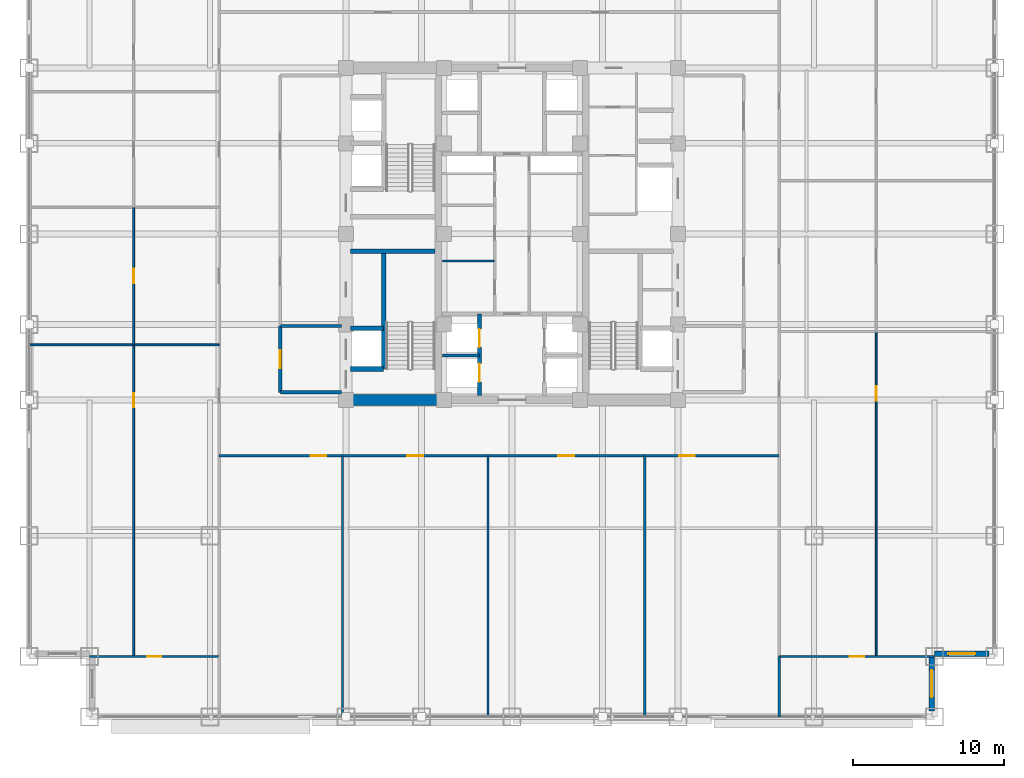
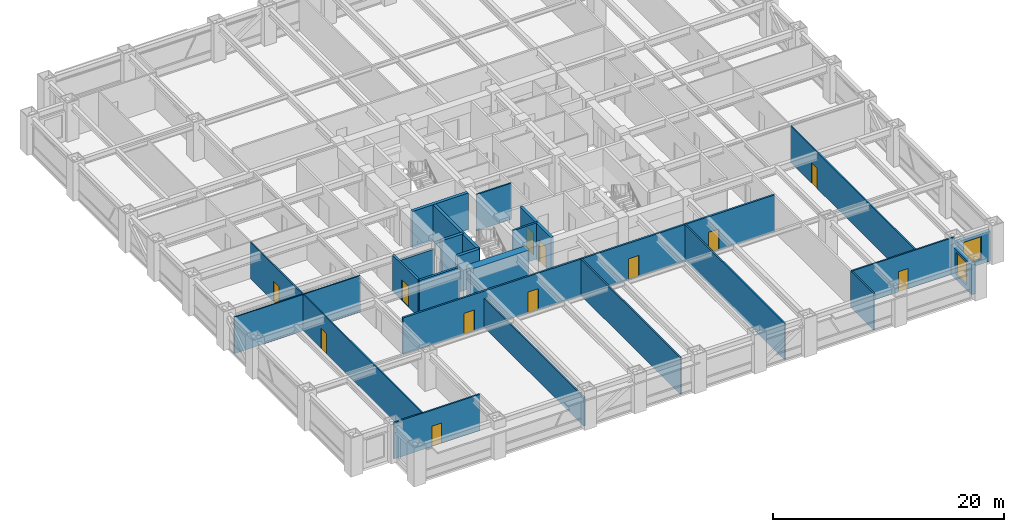
# One storey, part 23 of 32: 24 walls, 12 doors, 2 windows, 14 openings.
"""IFC4 building model written with IfcOpenShell, lengths in metres."""

from ifc_helpers import new_model, si_unit, direction, frame, frame_2d, origin, place, context, subcontext, project, spatial, rectangle, extrude, source, transform, mapped, material, layer, layer_set, type_object, element, fill, save


model = new_model("IFC4")

# Units and contexts
model_context = context("Model", 3, precision=1e-05, world=origin(), true_north=direction((0.0, 1.0)))
body_context = subcontext(model_context, "Body", "Model", "MODEL_VIEW")
ifc_project = project(units=[si_unit("LENGTHUNIT", "METRE"), si_unit("AREAUNIT", "SQUARE_METRE"), si_unit("VOLUMEUNIT", "CUBIC_METRE"), si_unit("PLANEANGLEUNIT", "RADIAN"), si_unit("MASSUNIT", "GRAM", prefix="KILO")], contexts=[model_context])

# Site, building, storey
site_placement = place(None, origin())
site = spatial("IfcSite", under=ifc_project, at=site_placement, CompositionType="ELEMENT")
building_placement = place(site_placement, origin())
building = spatial("IfcBuilding", under=site, at=building_placement, Name="Khorayat Bourse Tower", CompositionType="ELEMENT")
storey_placement = place(building_placement, frame((0.0, 0.0, 128.300048828125)))
storey = spatial("IfcBuildingStorey", under=building, at=storey_placement, Name="L29", CompositionType="ELEMENT", Elevation=128.300048828125)

# Walls
ifc_material_1 = material(Name="Concrete C72/90", Category="concrete")
ifc_layer_1 = layer(ifc_material_1, 0.75)
ifc_layer_set_1 = layer_set([ifc_layer_1], Name="Concrete C72/90")
wall_type_1 = type_object("IfcWallType", Name="WAL-CORE-750", PredefinedType="SHEAR", material=ifc_layer_set_1)
shared_shape_1 = source(origin(), body_context, "Body", "SweptSolid", [
    extrude(rectangle(XDim=5.849853515625, YDim=0.75, at=frame_2d((2.9248046875, 0.0))), origin(), (0.0, 0.0, 1.0), 3.83984375),
])
wall_1_placement = place(storey_placement, frame((-10.699951171875, -11.0, 0.0), z_axis=(0.0, 0.0, 1.0), x_axis=(1.0, 0.0, 0.0)))
element("IfcWall", 1, at=wall_1_placement, inside=storey, type_object=wall_type_1, Name="L29 Core Shear Wall PIER-WS", PredefinedType="SHEAR", context=body_context, shape_type="MappedRepresentation", body=[
    mapped(shared_shape_1, transform((0.0, 0.0, 0.0), scale=1.0)),
])
ifc_material_2 = material(Name="Concrete C50/60", Category="concrete")
ifc_layer_2 = layer(ifc_material_2, 0.300048828125)
ifc_layer_set_2 = layer_set([ifc_layer_2], Name="Concrete C50/60")
wall_type_2 = type_object("IfcWallType", Name="WAL-SHAFT-300", PredefinedType="SHEAR", material=ifc_layer_set_2)
shared_shape_2 = source(origin(), body_context, "Body", "SweptSolid", [
    extrude(rectangle(XDim=5.599853515625, YDim=0.300048828125, at=frame_2d((2.7998046875, 0.0))), origin(), (0.0, 0.0, 1.0), 3.83984375),
])
wall_2_placement = place(storey_placement, frame((-10.699951171875, -1.14990234375, 0.0), z_axis=(0.0, 0.0, 1.0), x_axis=(1.0, 0.0, 0.0)))
element("IfcWall", 2, at=wall_2_placement, inside=storey, type_object=wall_type_2, Name="L29 Core Shear Wall ST1-DIV", PredefinedType="SHEAR", context=body_context, shape_type="MappedRepresentation", body=[
    mapped(shared_shape_2, transform((0.0, 0.0, 0.0), scale=1.0)),
])

# Wall, opening, window
ifc_material_3 = material(Name="Precast concrete C45/55", Category="concrete")
ifc_layer_3 = layer(ifc_material_3, 0.3798828125)
ifc_layer_set_3 = layer_set([ifc_layer_3], Name="Precast concrete C45/55")
wall_type_3 = type_object("IfcWallType", Name="WAL-EXT-STONE-380", PredefinedType="STANDARD", material=ifc_layer_set_3)
shared_shape_3 = source(origin(), body_context, "Body", "SweptSolid", [
    extrude(rectangle(XDim=3.6201171875, YDim=0.3798828125, at=frame_2d((1.81005859375, 0.0))), origin(), (0.0, 0.0, 1.0), 3.14501953125),
])
wall_3_placement = place(storey_placement, frame((27.81005859375, -31.6201171875, 0.0), z_axis=(0.0, 0.0, 1.0), x_axis=(0.0, 1.0, 0.0)))
wall_3 = element("IfcWall", 3, at=wall_3_placement, inside=storey, type_object=wall_type_3, Name="L29 Re-Entrant Notch Limestone Wall SE-V", PredefinedType="STANDARD", context=body_context, shape_type="MappedRepresentation", body=[
    mapped(shared_shape_3, transform((0.0, 0.0, 0.0), scale=1.0)),
])
shared_shape_4 = source(origin(), body_context, "Body", "SweptSolid", [
    extrude(rectangle(XDim=1.800048828125, YDim=2.39990234375, at=frame_2d((0.89990234375, 1.199951171875))), frame((0.0, 0.199951171875, 0.0), z_axis=(0.0, -1.0, 0.0), x_axis=(1.0, 0.0, 0.0)), (0.0, 0.0, 1.0), 0.39990234375),
])
opening_1_placement = place(wall_3_placement, frame((0.909912109375, 0.0, 0.5)))
opening_1 = element("IfcOpeningElement", 4, at=opening_1_placement, cuts=wall_3, Name="Opening WN-04", PredefinedType="OPENING", context=body_context, shape_type="MappedRepresentation", body=[
    mapped(shared_shape_4, transform((0.0, 0.0, 0.0), scale=1.0)),
])
ifc_material_4 = material(Name="Low-E acoustic laminated double glazing", Category="glass")
window_type = type_object("IfcWindowType", Name="WIN-NOTCH-1800x2400", PartitioningType="SINGLE_PANEL", PredefinedType="WINDOW", material=ifc_material_4)
shared_shape_5 = source(origin(), body_context, "Body", "SweptSolid", [
    extrude(rectangle(XDim=1.800048828125, YDim=2.39990234375, at=frame_2d((0.89990234375, 1.199951171875))), frame((0.0, 0.030029296875, 0.0), z_axis=(0.0, -1.0, 0.0), x_axis=(1.0, 0.0, 0.0)), (0.0, 0.0, 1.0), 0.06005859375),
])
window_1_placement = place(opening_1_placement, origin())
window_1 = element("IfcWindow", 5, at=window_1_placement, inside=storey, type_object=window_type, Name="L29 Facade Window 1", OverallHeight=2.39990234375, OverallWidth=1.800048828125, PartitioningType="SINGLE_PANEL", PredefinedType="WINDOW", context=body_context, shape_type="MappedRepresentation", body=[
    mapped(shared_shape_5, transform((0.0, 0.0, 0.0), scale=1.0)),
])
fill(opening_1, window_1)

wall_4_placement = place(storey_placement, frame((28.0, -27.81005859375, 0.0), z_axis=(0.0, 0.0, 1.0), x_axis=(1.0, 0.0, 0.0)))
wall_4 = element("IfcWall", 6, at=wall_4_placement, inside=storey, type_object=wall_type_3, Name="L29 Re-Entrant Notch Limestone Wall SE-H", PredefinedType="STANDARD", context=body_context, shape_type="MappedRepresentation", body=[
    mapped(shared_shape_3, transform((0.0, 0.0, 0.0), scale=1.0)),
])
opening_2_placement = place(wall_4_placement, frame((0.909912109375, 0.0, 0.5)))
opening_2 = element("IfcOpeningElement", 7, at=opening_2_placement, cuts=wall_4, Name="Opening WN-04", PredefinedType="OPENING", context=body_context, shape_type="MappedRepresentation", body=[
    mapped(shared_shape_4, transform((0.0, 0.0, 0.0), scale=1.0)),
])
window_2_placement = place(opening_2_placement, origin())
window_2 = element("IfcWindow", 8, at=window_2_placement, inside=storey, type_object=window_type, Name="L29 Facade Window 1", OverallHeight=2.39990234375, OverallWidth=1.800048828125, PartitioningType="SINGLE_PANEL", PredefinedType="WINDOW", context=body_context, shape_type="MappedRepresentation", body=[
    mapped(shared_shape_5, transform((0.0, 0.0, 0.0), scale=1.0)),
])
fill(opening_2, window_2)

# Walls
ifc_material_5 = material(Name="Aerated concrete blockwork", Category="masonry")
ifc_layer_4 = layer(ifc_material_5, 0.219970703125)
ifc_layer_set_4 = layer_set([ifc_layer_4], Name="Aerated concrete blockwork")
wall_type_4 = type_object("IfcWallType", Name="WAL-PART-FF-220", PredefinedType="PARTITIONING", material=ifc_layer_set_4)
shared_shape_6 = source(origin(), body_context, "Body", "SweptSolid", [
    extrude(rectangle(XDim=4.050048828125, YDim=0.219970703125, at=frame_2d((2.02490234375, 0.0))), origin(), (0.0, 0.0, 1.0), 3.06689453125),
])
wall_5_placement = place(storey_placement, frame((-15.35009765625, -6.10009765625, 0.0), z_axis=(0.0, 0.0, 1.0), x_axis=(1.0, 0.0, 0.0)))
element("IfcWall", 9, at=wall_5_placement, inside=storey, type_object=wall_type_4, Name="L29 Partition WAL-L29-FFLW-N", PredefinedType="PARTITIONING", context=body_context, shape_type="MappedRepresentation", body=[
    mapped(shared_shape_6, transform((0.0, 0.0, 0.0), scale=1.0)),
])
shared_shape_7 = source(origin(), body_context, "Body", "SweptSolid", [
    extrude(rectangle(XDim=7.800048828125, YDim=0.300048828125, at=frame_2d((3.89990234375, 0.0))), origin(), (0.0, 0.0, 1.0), 3.83984375),
])
wall_6_placement = place(storey_placement, frame((-8.5, -8.949951171875, 0.0), z_axis=(0.0, 0.0, 1.0), x_axis=(0.0, 1.0, 0.0)))
element("IfcWall", 10, at=wall_6_placement, inside=storey, type_object=wall_type_2, Name="L29 Partition WAL-L29-WPIER-SP", PredefinedType="SHEAR", context=body_context, shape_type="MappedRepresentation", body=[
    mapped(shared_shape_7, transform((0.0, 0.0, 0.0), scale=1.0)),
])
shared_shape_8 = source(origin(), body_context, "Body", "SweptSolid", [
    extrude(rectangle(XDim=2.199951171875, YDim=0.300048828125, at=frame_2d((1.10009765625, 0.0))), origin(), (0.0, 0.0, 1.0), 3.83984375),
])
for number, where, z_axis, x_axis, name in (
    (11, (-10.699951171875, -8.949951171875, 0.0), (0.0, 0.0, 1.0), (1.0, 0.0, 0.0), "L29 Partition WAL-L29-WPIER-FF1S"),
    (12, (-10.699951171875, -6.25, 0.0), (0.0, 0.0, 1.0), (1.0, 0.0, 0.0), "L29 Partition WAL-L29-WPIER-FF1N"),
):
    element("IfcWall", number, at=place(storey_placement, frame(where, z_axis=z_axis, x_axis=x_axis)), inside=storey, type_object=wall_type_2, Name=name, PredefinedType="SHEAR", context=body_context, shape_type="MappedRepresentation", body=[
        mapped(shared_shape_8, transform((0.0, 0.0, 0.0), scale=1.0)),
    ])
shared_shape_9 = source(origin(), body_context, "Body", "SweptSolid", [
    extrude(rectangle(XDim=4.050048828125, YDim=0.219970703125, at=frame_2d((2.02490234375, 0.0))), origin(), (0.0, 0.0, 1.0), 3.83984375),
])
wall_7_placement = place(storey_placement, frame((-15.35009765625, -10.5, 0.0), z_axis=(0.0, 0.0, 1.0), x_axis=(1.0, 0.0, 0.0)))
element("IfcWall", 13, at=wall_7_placement, inside=storey, type_object=wall_type_4, Name="L29 Partition WAL-L29-FFLW-S", PredefinedType="PARTITIONING", context=body_context, shape_type="MappedRepresentation", body=[
    mapped(shared_shape_9, transform((0.0, 0.0, 0.0), scale=1.0)),
])

# Wall, opening, door
shared_shape_10 = source(origin(), body_context, "Body", "SweptSolid", [
    extrude(rectangle(XDim=4.39990234375, YDim=0.219970703125, at=frame_2d((2.199951171875, 0.0))), origin(), (0.0, 0.0, 1.0), 3.83984375),
])
wall_8_placement = place(storey_placement, frame((-15.35009765625, -10.5, 0.0), z_axis=(0.0, 0.0, 1.0), x_axis=(0.0, 1.0, 0.0)))
wall_8 = element("IfcWall", 14, at=wall_8_placement, inside=storey, type_object=wall_type_4, Name="L29 Partition WAL-L29-FFLW-W", PredefinedType="PARTITIONING", context=body_context, shape_type="MappedRepresentation", body=[
    mapped(shared_shape_10, transform((0.0, 0.0, 0.0), scale=1.0)),
])
shared_shape_11 = source(origin(), body_context, "Body", "SweptSolid", [
    extrude(rectangle(XDim=1.199951171875, YDim=2.199951171875, at=frame_2d((0.60009765625, 1.10009765625))), frame((0.0, 0.119873046875, 0.0), z_axis=(0.0, -1.0, 0.0), x_axis=(1.0, 0.0, 0.0)), (0.0, 0.0, 1.0), 0.239990234375),
])
opening_3_placement = place(wall_8_placement, frame((1.60009765625, 0.0, 0.0)))
opening_3 = element("IfcOpeningElement", 15, at=opening_3_placement, cuts=wall_8, Name="Opening DI-02", PredefinedType="OPENING", context=body_context, shape_type="MappedRepresentation", body=[
    mapped(shared_shape_11, transform((0.0, 0.0, 0.0), scale=1.0)),
])
ifc_material_6 = material(Name="Fire-rated steel double-seal leaf", Category="steel")
door_type_1 = type_object("IfcDoorType", Name="DR-INT-FFLOBBY-1200", OperationType="NOTDEFINED", PredefinedType="DOOR", material=ifc_material_6)
shared_shape_12 = source(origin(), body_context, "Body", "SweptSolid", [
    extrude(rectangle(XDim=1.199951171875, YDim=2.199951171875, at=frame_2d((0.60009765625, 1.10009765625))), frame((0.0, 0.02490234375, 0.0), z_axis=(0.0, -1.0, 0.0), x_axis=(1.0, 0.0, 0.0)), (0.0, 0.0, 1.0), 0.050048828125),
])
door_1_placement = place(opening_3_placement, origin())
door_1 = element("IfcDoor", 16, at=door_1_placement, inside=storey, type_object=door_type_1, Name="L29 West Firefighting Lobby Door", OperationType="SINGLE_SWING_LEFT", OverallHeight=2.199951171875, OverallWidth=1.199951171875, PredefinedType="DOOR", context=body_context, shape_type="MappedRepresentation", body=[
    mapped(shared_shape_12, transform((0.0, 0.0, 0.0), scale=1.0)),
])
fill(opening_3, door_1)

# Wall, openings, doors
shared_shape_13 = source(origin(), body_context, "Body", "SweptSolid", [
    extrude(rectangle(XDim=5.39990234375, YDim=0.25, at=frame_2d((2.699951171875, 0.0))), origin(), (0.0, 0.0, 1.0), 3.83984375),
])
wall_9_placement = place(storey_placement, frame((-2.14990234375, -10.699951171875, 0.0), z_axis=(0.0, 0.0, 1.0), x_axis=(0.0, 1.0, 0.0)))
wall_9 = element("IfcWall", 17, at=wall_9_placement, inside=storey, type_object=wall_type_2, Name="L29 Partition WAL-L29-B1-W", PredefinedType="SHEAR", context=body_context, shape_type="MappedRepresentation", body=[
    mapped(shared_shape_13, transform((0.0, 0.0, 0.0), scale=1.0)),
])
shared_shape_14 = source(origin(), body_context, "Body", "SweptSolid", [
    extrude(rectangle(XDim=1.199951171875, YDim=2.300048828125, at=frame_2d((0.60009765625, 1.14990234375))), frame((0.0, 0.135009765625, 0.0), z_axis=(0.0, -1.0, 0.0), x_axis=(1.0, 0.0, 0.0)), (0.0, 0.0, 1.0), 0.27001953125),
])
opening_4_placement = place(wall_9_placement, frame((0.89990234375, 0.0, 0.0)))
opening_4 = element("IfcOpeningElement", 18, at=opening_4_placement, cuts=wall_9, Name="Opening LD-01", PredefinedType="OPENING", context=body_context, shape_type="MappedRepresentation", body=[
    mapped(shared_shape_14, transform((0.0, 0.0, 0.0), scale=1.0)),
])
opening_5_placement = place(wall_9_placement, frame((3.199951171875, 0.0, 0.0)))
opening_5 = element("IfcOpeningElement", 19, at=opening_5_placement, cuts=wall_9, Name="Opening LD-01", PredefinedType="OPENING", context=body_context, shape_type="MappedRepresentation", body=[
    mapped(shared_shape_14, transform((0.0, 0.0, 0.0), scale=1.0)),
])
ifc_material_7 = material(Name="Brushed bronze stainless-steel sliding door", Category="steel")
door_type_2 = type_object("IfcDoorType", Name="DR-LIFT-PASS-1200", OperationType="NOTDEFINED", PredefinedType="DOOR", material=ifc_material_7)
shared_shape_15 = source(origin(), body_context, "Body", "SweptSolid", [
    extrude(rectangle(XDim=1.199951171875, YDim=2.300048828125, at=frame_2d((0.60009765625, 1.14990234375))), frame((0.0, 0.02490234375, 0.0), z_axis=(0.0, -1.0, 0.0), x_axis=(1.0, 0.0, 0.0)), (0.0, 0.0, 1.0), 0.050048828125),
])
door_2_placement = place(opening_4_placement, origin())
door_2 = element("IfcDoor", 20, at=door_2_placement, inside=storey, type_object=door_type_2, Name="L29 Lift PL-L1 Sliding Landing Door", OperationType="SLIDING_TO_LEFT", OverallHeight=2.300048828125, OverallWidth=1.199951171875, PredefinedType="DOOR", context=body_context, shape_type="MappedRepresentation", body=[
    mapped(shared_shape_15, transform((0.0, 0.0, 0.0), scale=1.0)),
])
fill(opening_4, door_2)
door_3_placement = place(opening_5_placement, origin())
door_3 = element("IfcDoor", 21, at=door_3_placement, inside=storey, type_object=door_type_2, Name="L29 Lift PL-L3 Sliding Landing Door", OperationType="SLIDING_TO_LEFT", OverallHeight=2.300048828125, OverallWidth=1.199951171875, PredefinedType="DOOR", context=body_context, shape_type="MappedRepresentation", body=[
    mapped(shared_shape_15, transform((0.0, 0.0, 0.0), scale=1.0)),
])
fill(opening_5, door_3)

# Walls
shared_shape_16 = source(origin(), body_context, "Body", "SweptSolid", [
    extrude(rectangle(XDim=2.4501953125, YDim=0.199951171875, at=frame_2d((1.22509765625, 0.0))), origin(), (0.0, 0.0, 1.0), 3.83984375),
])
wall_10_placement = place(storey_placement, frame((-4.60009765625, -8.050048828125, 0.0), z_axis=(0.0, 0.0, 1.0), x_axis=(1.0, 0.0, 0.0)))
element("IfcWall", 22, at=wall_10_placement, inside=storey, type_object=wall_type_2, Name="L29 Partition WAL-L29-B1-MW", PredefinedType="SHEAR", context=body_context, shape_type="MappedRepresentation", body=[
    mapped(shared_shape_16, transform((0.0, 0.0, 0.0), scale=1.0)),
])
ifc_material_8 = material(Name="Moisture-resistant masonry partition", Category="masonry")
ifc_layer_5 = layer(ifc_material_8, 0.139892578125)
ifc_layer_set_5 = layer_set([ifc_layer_5], Name="Moisture-resistant masonry partition")
wall_type_5 = type_object("IfcWallType", Name="WAL-PART-WET-140", PredefinedType="PARTITIONING", material=ifc_layer_set_5)
shared_shape_17 = source(origin(), body_context, "Body", "SweptSolid", [
    extrude(rectangle(XDim=3.4501953125, YDim=0.139892578125, at=frame_2d((1.72509765625, 0.0))), origin(), (0.0, 0.0, 1.0), 3.83984375),
])
wall_11_placement = place(storey_placement, frame((-4.60009765625, -1.800048828125, 0.0), z_axis=(0.0, 0.0, 1.0), x_axis=(1.0, 0.0, 0.0)))
element("IfcWall", 23, at=wall_11_placement, inside=storey, type_object=wall_type_5, Name="L29 Partition WAL-L29-CMW-D1", PredefinedType="PARTITIONING", context=body_context, shape_type="MappedRepresentation", body=[
    mapped(shared_shape_17, transform((0.0, 0.0, 0.0), scale=1.0)),
])

# Wall, openings, doors
ifc_material_9 = material(Name="Gypsum plasterboard acoustic stud wall")
ifc_layer_6 = layer(ifc_material_9, 0.179931640625)
ifc_layer_set_6 = layer_set([ifc_layer_6], Name="Gypsum plasterboard acoustic stud wall")
wall_type_6 = type_object("IfcWallType", Name="WAL-PART-CORR-180", PredefinedType="PARTITIONING", material=ifc_layer_set_6)
shared_shape_18 = source(origin(), body_context, "Body", "SweptSolid", [
    extrude(rectangle(XDim=37.099853515625, YDim=0.179931640625, at=frame_2d((18.5498046875, 0.0))), origin(), (0.0, 0.0, 1.0), 3.83984375),
])
wall_12_placement = place(storey_placement, frame((-19.39990234375, -14.699951171875, 0.0), z_axis=(0.0, 0.0, 1.0), x_axis=(1.0, 0.0, 0.0)))
wall_12 = element("IfcWall", 24, at=wall_12_placement, inside=storey, type_object=wall_type_6, Name="L29 Partition WAL-L29-SCORR", PredefinedType="PARTITIONING", context=body_context, shape_type="MappedRepresentation", body=[
    mapped(shared_shape_18, transform((0.0, 0.0, 0.0), scale=1.0)),
])
shared_shape_19 = source(origin(), body_context, "Body", "SweptSolid", [
    extrude(rectangle(XDim=1.050048828125, YDim=2.199951171875, at=frame_2d((0.52490234375, 1.10009765625))), frame((0.0, 0.099853515625, 0.0), z_axis=(0.0, -1.0, 0.0), x_axis=(1.0, 0.0, 0.0)), (0.0, 0.0, 1.0), 0.199951171875),
])
opening_6_placement = place(wall_12_placement, frame((6.055908203125, 0.0, 0.0)))
opening_6 = element("IfcOpeningElement", 25, at=opening_6_placement, cuts=wall_12, Name="Opening DI-04", PredefinedType="OPENING", context=body_context, shape_type="MappedRepresentation", body=[
    mapped(shared_shape_19, transform((0.0, 0.0, 0.0), scale=1.0)),
])
opening_7_placement = place(wall_12_placement, frame((12.4599609375, 0.0, 0.0)))
opening_7 = element("IfcOpeningElement", 26, at=opening_7_placement, cuts=wall_12, Name="Opening DI-04", PredefinedType="OPENING", context=body_context, shape_type="MappedRepresentation", body=[
    mapped(shared_shape_19, transform((0.0, 0.0, 0.0), scale=1.0)),
])
opening_8_placement = place(wall_12_placement, frame((22.47705078125, 0.0, 0.0)))
opening_8 = element("IfcOpeningElement", 27, at=opening_8_placement, cuts=wall_12, Name="Opening DI-04", PredefinedType="OPENING", context=body_context, shape_type="MappedRepresentation", body=[
    mapped(shared_shape_19, transform((0.0, 0.0, 0.0), scale=1.0)),
])
opening_9_placement = place(wall_12_placement, frame((30.472900390625, 0.0, 0.0)))
opening_9 = element("IfcOpeningElement", 28, at=opening_9_placement, cuts=wall_12, Name="Opening DI-04", PredefinedType="OPENING", context=body_context, shape_type="MappedRepresentation", body=[
    mapped(shared_shape_19, transform((0.0, 0.0, 0.0), scale=1.0)),
])
ifc_material_10 = material(Name="Fire-rated oak veneer suite entrance door")
door_type_3 = type_object("IfcDoorType", Name="DR-INT-SUITE-1050", OperationType="NOTDEFINED", PredefinedType="DOOR", material=ifc_material_10)
shared_shape_20 = source(origin(), body_context, "Body", "SweptSolid", [
    extrude(rectangle(XDim=1.050048828125, YDim=2.199951171875, at=frame_2d((0.52490234375, 1.10009765625))), frame((0.0, 0.02490234375, 0.0), z_axis=(0.0, -1.0, 0.0), x_axis=(1.0, 0.0, 0.0)), (0.0, 0.0, 1.0), 0.050048828125),
])
door_4_placement = place(opening_6_placement, origin())
door_4 = element("IfcDoor", 29, at=door_4_placement, inside=storey, type_object=door_type_3, Name="L29 Floor Reception Concierge S1 Door", OperationType="SINGLE_SWING_RIGHT", OverallHeight=2.199951171875, OverallWidth=1.050048828125, PredefinedType="DOOR", context=body_context, shape_type="MappedRepresentation", body=[
    mapped(shared_shape_20, transform((0.0, 0.0, 0.0), scale=1.0)),
])
fill(opening_6, door_4)
door_5_placement = place(opening_7_placement, origin())
door_5 = element("IfcDoor", 30, at=door_5_placement, inside=storey, type_object=door_type_3, Name="L29 Issuer Listing Showroom S2 Door", OperationType="SINGLE_SWING_LEFT", OverallHeight=2.199951171875, OverallWidth=1.050048828125, PredefinedType="DOOR", context=body_context, shape_type="MappedRepresentation", body=[
    mapped(shared_shape_20, transform((0.0, 0.0, 0.0), scale=1.0)),
])
fill(opening_7, door_5)
door_6_placement = place(opening_8_placement, origin())
door_6 = element("IfcDoor", 31, at=door_6_placement, inside=storey, type_object=door_type_3, Name="L29 Members Exchange Lounge S3 Door", OperationType="SINGLE_SWING_RIGHT", OverallHeight=2.199951171875, OverallWidth=1.050048828125, PredefinedType="DOOR", context=body_context, shape_type="MappedRepresentation", body=[
    mapped(shared_shape_20, transform((0.0, 0.0, 0.0), scale=1.0)),
])
fill(opening_8, door_6)
door_7_placement = place(opening_9_placement, origin())
door_7 = element("IfcDoor", 32, at=door_7_placement, inside=storey, type_object=door_type_3, Name="L29 Members Dining Room S4 Door", OperationType="SINGLE_SWING_LEFT", OverallHeight=2.199951171875, OverallWidth=1.050048828125, PredefinedType="DOOR", context=body_context, shape_type="MappedRepresentation", body=[
    mapped(shared_shape_20, transform((0.0, 0.0, 0.0), scale=1.0)),
])
fill(opening_9, door_7)

# Walls
ifc_material_11 = material(Name="Gypsum plasterboard twin-frame partition")
ifc_layer_7 = layer(ifc_material_11, 0.14990234375)
ifc_layer_set_7 = layer_set([ifc_layer_7], Name="Gypsum plasterboard twin-frame partition")
wall_type_7 = type_object("IfcWallType", Name="WAL-PART-SUITE-150", PredefinedType="PARTITIONING", material=ifc_layer_set_7)
shared_shape_21 = source(origin(), body_context, "Body", "SweptSolid", [
    extrude(rectangle(XDim=4.0, YDim=0.14990234375, at=frame_2d((2.0, 0.0))), origin(), (0.0, 0.0, 1.0), 3.83984375),
])
wall_13_placement = place(storey_placement, frame((17.699951171875, -32.0, 0.0), z_axis=(0.0, 0.0, 1.0), x_axis=(0.0, 1.0, 0.0)))
element("IfcWall", 33, at=wall_13_placement, inside=storey, type_object=wall_type_7, Name="L29 Partition WAL-L29-SCE-END", PredefinedType="PARTITIONING", context=body_context, shape_type="MappedRepresentation", body=[
    mapped(shared_shape_21, transform((0.0, 0.0, 0.0), scale=1.0)),
])
ifc_material_12 = material(Name="Gypsum plasterboard partition")
ifc_layer_8 = layer(ifc_material_12, 0.125)
ifc_layer_set_8 = layer_set([ifc_layer_8], Name="Gypsum plasterboard partition")
wall_type_8 = type_object("IfcWallType", Name="WAL-PART-ROOM-125", PredefinedType="PARTITIONING", material=ifc_layer_set_8)
shared_shape_22 = source(origin(), body_context, "Body", "SweptSolid", [
    extrude(rectangle(XDim=12.60009765625, YDim=0.125, at=frame_2d((6.300048828125, 0.0))), origin(), (0.0, 0.0, 1.0), 3.83984375),
])
wall_14_placement = place(storey_placement, frame((-32.0, -7.35009765625, 0.0), z_axis=(0.0, 0.0, 1.0), x_axis=(1.0, 0.0, 0.0)))
element("IfcWall", 34, at=wall_14_placement, inside=storey, type_object=wall_type_8, Name="L29 Partition WAL-L29-WDV-1", PredefinedType="PARTITIONING", context=body_context, shape_type="MappedRepresentation", body=[
    mapped(shared_shape_22, transform((0.0, 0.0, 0.0), scale=1.0)),
])

# Wall, opening, door
shared_shape_23 = source(origin(), body_context, "Body", "SweptSolid", [
    extrude(rectangle(XDim=8.60009765625, YDim=0.14990234375, at=frame_2d((4.300048828125, 0.0))), origin(), (0.0, 0.0, 1.0), 3.83984375),
])
wall_15_placement = place(storey_placement, frame((-28.0, -28.0, 0.0), z_axis=(0.0, 0.0, 1.0), x_axis=(1.0, 0.0, 0.0)))
wall_15 = element("IfcWall", 35, at=wall_15_placement, inside=storey, type_object=wall_type_7, Name="L29 Partition WAL-L29-CSW", PredefinedType="PARTITIONING", context=body_context, shape_type="MappedRepresentation", body=[
    mapped(shared_shape_23, transform((0.0, 0.0, 0.0), scale=1.0)),
])
shared_shape_24 = source(origin(), body_context, "Body", "SweptSolid", [
    extrude(rectangle(XDim=0.949951171875, YDim=2.14990234375, at=frame_2d((0.47509765625, 1.074951171875))), frame((0.0, 0.0849609375, 0.0), z_axis=(0.0, -1.0, 0.0), x_axis=(1.0, 0.0, 0.0)), (0.0, 0.0, 1.0), 0.169921875),
])
opening_10_placement = place(wall_15_placement, frame((3.824951171875, 0.0, 0.0)))
opening_10 = element("IfcOpeningElement", 36, at=opening_10_placement, cuts=wall_15, Name="Opening DI-05", PredefinedType="OPENING", context=body_context, shape_type="MappedRepresentation", body=[
    mapped(shared_shape_24, transform((0.0, 0.0, 0.0), scale=1.0)),
])
ifc_material_13 = material(Name="Acoustic oak veneer office door")
door_type_4 = type_object("IfcDoorType", Name="DR-INT-OFFICE-950", OperationType="NOTDEFINED", PredefinedType="DOOR", material=ifc_material_13)
shared_shape_25 = source(origin(), body_context, "Body", "SweptSolid", [
    extrude(rectangle(XDim=0.949951171875, YDim=2.14990234375, at=frame_2d((0.47509765625, 1.074951171875))), frame((0.0, 0.02490234375, 0.0), z_axis=(0.0, -1.0, 0.0), x_axis=(1.0, 0.0, 0.0)), (0.0, 0.0, 1.0), 0.050048828125),
])
door_8_placement = place(opening_10_placement, origin())
door_8 = element("IfcDoor", 37, at=door_8_placement, inside=storey, type_object=door_type_4, Name="L29 South-West Corner Office Door", OperationType="SINGLE_SWING_LEFT", OverallHeight=2.14990234375, OverallWidth=0.949951171875, PredefinedType="DOOR", context=body_context, shape_type="MappedRepresentation", body=[
    mapped(shared_shape_25, transform((0.0, 0.0, 0.0), scale=1.0)),
])
fill(opening_10, door_8)

shared_shape_26 = source(origin(), body_context, "Body", "SweptSolid", [
    extrude(rectangle(XDim=10.300048828125, YDim=0.14990234375, at=frame_2d((5.14990234375, 0.0))), origin(), (0.0, 0.0, 1.0), 3.83984375),
])
wall_16_placement = place(storey_placement, frame((17.699951171875, -28.0, 0.0), z_axis=(0.0, 0.0, 1.0), x_axis=(1.0, 0.0, 0.0)))
wall_16 = element("IfcWall", 38, at=wall_16_placement, inside=storey, type_object=wall_type_7, Name="L29 Partition WAL-L29-CSE", PredefinedType="PARTITIONING", context=body_context, shape_type="MappedRepresentation", body=[
    mapped(shared_shape_26, transform((0.0, 0.0, 0.0), scale=1.0)),
])
opening_11_placement = place(wall_16_placement, frame((4.675048828125, 0.0, 0.0)))
opening_11 = element("IfcOpeningElement", 39, at=opening_11_placement, cuts=wall_16, Name="Opening DI-05", PredefinedType="OPENING", context=body_context, shape_type="MappedRepresentation", body=[
    mapped(shared_shape_24, transform((0.0, 0.0, 0.0), scale=1.0)),
])
door_9_placement = place(opening_11_placement, origin())
door_9 = element("IfcDoor", 40, at=door_9_placement, inside=storey, type_object=door_type_4, Name="L29 South-East Corner Briefing Room Door", OperationType="SINGLE_SWING_LEFT", OverallHeight=2.14990234375, OverallWidth=0.949951171875, PredefinedType="DOOR", context=body_context, shape_type="MappedRepresentation", body=[
    mapped(shared_shape_25, transform((0.0, 0.0, 0.0), scale=1.0)),
])
fill(opening_11, door_9)

# Walls
shared_shape_27 = source(origin(), body_context, "Body", "SweptSolid", [
    extrude(rectangle(XDim=17.300048828125, YDim=0.14990234375, at=frame_2d((8.64990234375, 0.0))), origin(), (0.0, 0.0, 1.0), 3.83984375),
])
for number, where, z_axis, x_axis, name in (
    (41, (-1.592041015625, -32.0, 0.0), (0.0, 0.0, 1.0), (0.0, 1.0, 0.0), "L29 Partition WAL-L29-SDV-2"),
    (42, (8.7958984375, -32.0, 0.0), (0.0, 0.0, 1.0), (0.0, 1.0, 0.0), "L29 Partition WAL-L29-SDV-3"),
):
    element("IfcWall", number, at=place(storey_placement, frame(where, z_axis=z_axis, x_axis=x_axis)), inside=storey, type_object=wall_type_7, Name=name, PredefinedType="PARTITIONING", context=body_context, shape_type="MappedRepresentation", body=[
        mapped(shared_shape_27, transform((0.0, 0.0, 0.0), scale=1.0)),
    ])
shared_shape_28 = source(origin(), body_context, "Body", "SweptSolid", [
    extrude(rectangle(XDim=17.300048828125, YDim=0.14990234375, at=frame_2d((8.64990234375, 0.0))), origin(), (0.0, 0.0, 1.0), 3.06689453125),
])
wall_17_placement = place(storey_placement, frame((-11.238037109375, -32.0, 0.0), z_axis=(0.0, 0.0, 1.0), x_axis=(0.0, 1.0, 0.0)))
element("IfcWall", 43, at=wall_17_placement, inside=storey, type_object=wall_type_7, Name="L29 Partition WAL-L29-SDV-1", PredefinedType="PARTITIONING", context=body_context, shape_type="MappedRepresentation", body=[
    mapped(shared_shape_28, transform((0.0, 0.0, 0.0), scale=1.0)),
])

# Wall, opening, door
shared_shape_29 = source(origin(), body_context, "Body", "SweptSolid", [
    extrude(rectangle(XDim=20.64990234375, YDim=0.125, at=frame_2d((10.324951171875, 0.0))), origin(), (0.0, 0.0, 1.0), 3.83984375),
])
wall_18_placement = place(storey_placement, frame((-25.070068359375, -28.0, 0.0), z_axis=(0.0, 0.0, 1.0), x_axis=(0.0, 1.0, 0.0)))
wall_18 = element("IfcWall", 44, at=wall_18_placement, inside=storey, type_object=wall_type_8, Name="L29 Partition WAL-L29-WDP-1", PredefinedType="PARTITIONING", context=body_context, shape_type="MappedRepresentation", body=[
    mapped(shared_shape_29, transform((0.0, 0.0, 0.0), scale=1.0)),
])
shared_shape_30 = source(origin(), body_context, "Body", "SweptSolid", [
    extrude(rectangle(XDim=0.949951171875, YDim=2.14990234375, at=frame_2d((0.47509765625, 1.074951171875))), frame((0.0, 0.072509765625, 0.0), z_axis=(0.0, -1.0, 0.0), x_axis=(1.0, 0.0, 0.0)), (0.0, 0.0, 1.0), 0.14501953125),
])
opening_12_placement = place(wall_18_placement, frame((16.5, 0.0, 0.0)))
opening_12 = element("IfcOpeningElement", 45, at=opening_12_placement, cuts=wall_18, Name="Opening DI-05", PredefinedType="OPENING", context=body_context, shape_type="MappedRepresentation", body=[
    mapped(shared_shape_30, transform((0.0, 0.0, 0.0), scale=1.0)),
])
door_10_placement = place(opening_12_placement, origin())
door_10 = element("IfcDoor", 46, at=door_10_placement, inside=storey, type_object=door_type_4, Name="L29 Market Committee Conference Room W1B Door", OperationType="SINGLE_SWING_RIGHT", OverallHeight=2.14990234375, OverallWidth=0.949951171875, PredefinedType="DOOR", context=body_context, shape_type="MappedRepresentation", body=[
    mapped(shared_shape_25, transform((0.0, 0.0, 0.0), scale=1.0)),
])
fill(opening_12, door_10)

shared_shape_31 = source(origin(), body_context, "Body", "SweptSolid", [
    extrude(rectangle(XDim=9.114013671875, YDim=0.125, at=frame_2d((4.55712890625, 0.0))), origin(), (0.0, 0.0, 1.0), 3.83984375),
])
wall_19_placement = place(storey_placement, frame((-25.070068359375, -7.35009765625, 0.0), z_axis=(0.0, 0.0, 1.0), x_axis=(0.0, 1.0, 0.0)))
wall_19 = element("IfcWall", 47, at=wall_19_placement, inside=storey, type_object=wall_type_8, Name="L29 Partition WAL-L29-WDP-2", PredefinedType="PARTITIONING", context=body_context, shape_type="MappedRepresentation", body=[
    mapped(shared_shape_31, transform((0.0, 0.0, 0.0), scale=1.0)),
])
opening_13_placement = place(wall_19_placement, frame((4.08203125, 0.0, 0.0)))
opening_13 = element("IfcOpeningElement", 48, at=opening_13_placement, cuts=wall_19, Name="Opening DI-05", PredefinedType="OPENING", context=body_context, shape_type="MappedRepresentation", body=[
    mapped(shared_shape_30, transform((0.0, 0.0, 0.0), scale=1.0)),
])
door_11_placement = place(opening_13_placement, origin())
door_11 = element("IfcDoor", 49, at=door_11_placement, inside=storey, type_object=door_type_4, Name="L29 Staff Tea Pantry W2B Door", OperationType="SINGLE_SWING_LEFT", OverallHeight=2.14990234375, OverallWidth=0.949951171875, PredefinedType="DOOR", context=body_context, shape_type="MappedRepresentation", body=[
    mapped(shared_shape_25, transform((0.0, 0.0, 0.0), scale=1.0)),
])
fill(opening_13, door_11)

shared_shape_32 = source(origin(), body_context, "Body", "SweptSolid", [
    extrude(rectangle(XDim=21.531982421875, YDim=0.125, at=frame_2d((10.76611328125, 0.0))), origin(), (0.0, 0.0, 1.0), 3.83984375),
])
wall_20_placement = place(storey_placement, frame((24.135009765625, -28.0, 0.0), z_axis=(0.0, 0.0, 1.0), x_axis=(0.0, 1.0, 0.0)))
wall_20 = element("IfcWall", 50, at=wall_20_placement, inside=storey, type_object=wall_type_8, Name="L29 Partition WAL-L29-EDP-1", PredefinedType="PARTITIONING", context=body_context, shape_type="MappedRepresentation", body=[
    mapped(shared_shape_32, transform((0.0, 0.0, 0.0), scale=1.0)),
])
opening_14_placement = place(wall_20_placement, frame((16.94091796875, 0.0, 0.0)))
opening_14 = element("IfcOpeningElement", 51, at=opening_14_placement, cuts=wall_20, Name="Opening DI-05", PredefinedType="OPENING", context=body_context, shape_type="MappedRepresentation", body=[
    mapped(shared_shape_30, transform((0.0, 0.0, 0.0), scale=1.0)),
])
door_12_placement = place(opening_14_placement, origin())
door_12 = element("IfcDoor", 52, at=door_12_placement, inside=storey, type_object=door_type_4, Name="L29 Issuer Listing Showroom E1B Door", OperationType="SINGLE_SWING_RIGHT", OverallHeight=2.14990234375, OverallWidth=0.949951171875, PredefinedType="DOOR", context=body_context, shape_type="MappedRepresentation", body=[
    mapped(shared_shape_25, transform((0.0, 0.0, 0.0), scale=1.0)),
])
fill(opening_14, door_12)

save(model, "model.ifc")
